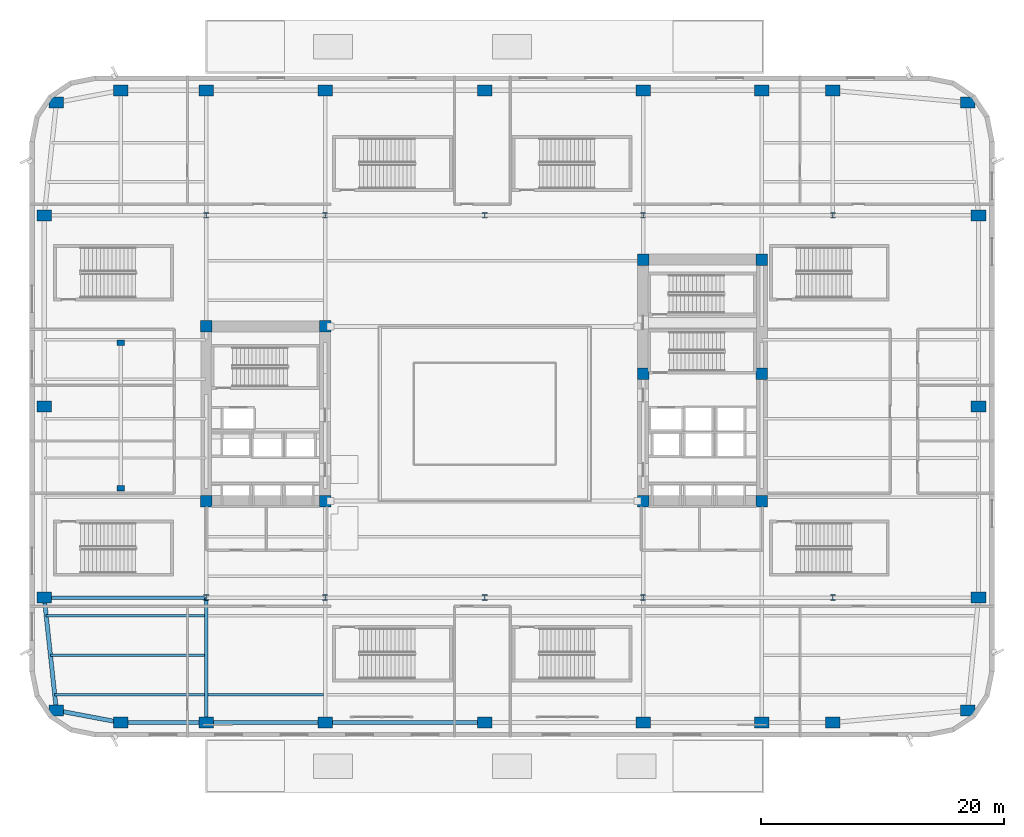
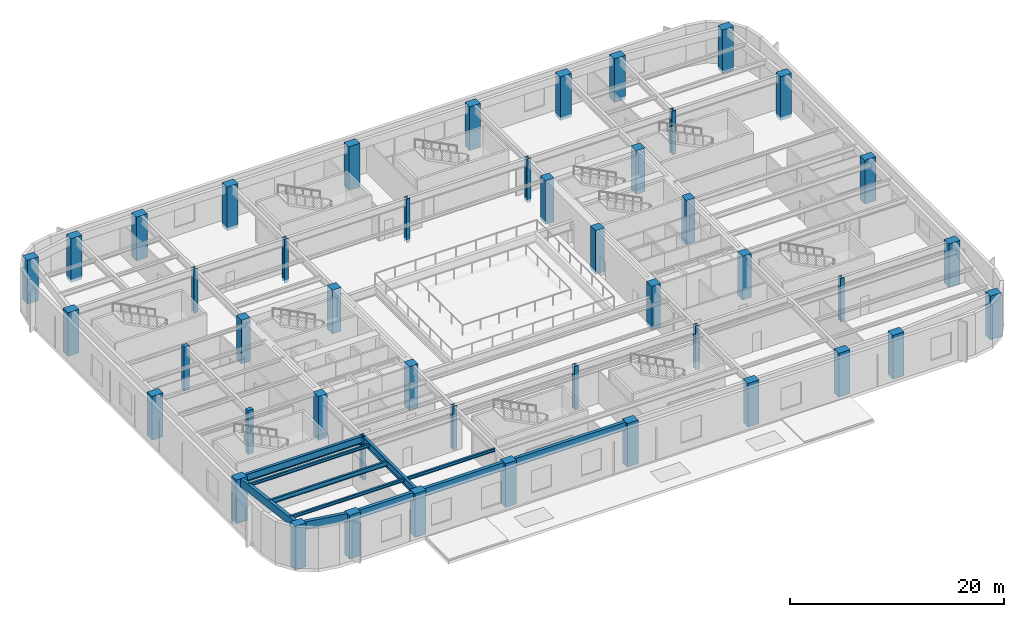
# One storey, part 1 of 24: 46 columns, 11 beams.
"""IFC4 building model written with IfcOpenShell, lengths in metres."""

from ifc_helpers import new_model, si_unit, direction, frame, origin, origin_2d, place, context, subcontext, project, spatial, rectangle, hollow_rectangle, i_section, extrude, material, material_profile, profile_set, type_object, element, save


model = new_model("IFC4")

# Units and contexts
model_context = context("Model", 3, precision=1e-05, world=origin(), true_north=direction((0.0, 1.0)))
body_context = subcontext(model_context, "Body", "Model", "MODEL_VIEW")
ifc_project = project(units=[si_unit("LENGTHUNIT", "METRE"), si_unit("AREAUNIT", "SQUARE_METRE"), si_unit("VOLUMEUNIT", "CUBIC_METRE"), si_unit("PLANEANGLEUNIT", "RADIAN"), si_unit("MASSUNIT", "GRAM", prefix="KILO")], contexts=[model_context])

# Site, building, storey
site_placement = place(None, origin())
site = spatial("IfcSite", under=ifc_project, at=site_placement, CompositionType="ELEMENT")
building_placement = place(site_placement, origin())
building = spatial("IfcBuilding", under=site, at=building_placement, Name="Kolvaren Arena Tower", CompositionType="ELEMENT")
storey_placement = place(building_placement, frame((0.0, 0.0, 8.0)))
storey = spatial("IfcBuildingStorey", under=building, at=storey_placement, Name="L01", CompositionType="ELEMENT", Elevation=8.0)

# Columns
ifc_material_1 = material(Name="Precast concrete C70/85", Category="concrete")
ifc_material_profile_1 = material_profile(ifc_material_1, rectangle(XDim=1.199951171875, YDim=0.89990234375, at=origin_2d()), Name="RC-1200x900")
ifc_profile_set_1 = profile_set([ifc_material_profile_1], Name="Precast concrete C70/85")
column_type_1 = type_object("IfcColumnType", Name="EXCOL-Z1", PredefinedType="COLUMN", material=ifc_profile_set_1)
for number, where, z_axis, x_axis, name in (
    (1, (2.199951171875, 2.199951171875, -0.35009765625), (0.0, 0.0, 1.0), (1.0, 0.0, 0.0), "Podium Perimeter Column PS-C0 (L01)"),
    (2, (7.5, 1.199951171875, -0.35009765625), (0.0, 0.0, 1.0), (1.0, 0.0, 0.0), "Podium Perimeter Column PS-01 (L01)"),
    (3, (14.550048828125, 1.199951171875, -0.35009765625), (0.0, 0.0, 1.0), (1.0, 0.0, 0.0), "Podium Perimeter Column PS-02 (L01)"),
    (4, (24.35009765625, 1.199951171875, -0.35009765625), (0.0, 0.0, 1.0), (1.0, 0.0, 0.0), "Podium Perimeter Column PS-03 (L01)"),
    (5, (37.5, 1.199951171875, -0.35009765625), (0.0, 0.0, 1.0), (1.0, 0.0, 0.0), "Podium Perimeter Column PS-04 (L01)"),
    (6, (50.550048828125, 1.199951171875, -0.35009765625), (0.0, 0.0, 1.0), (1.0, 0.0, 0.0), "Podium Perimeter Column PS-05 (L01)"),
    (7, (60.35009765625, 1.199951171875, -0.35009765625), (0.0, 0.0, 1.0), (1.0, 0.0, 0.0), "Podium Perimeter Column PS-06 (L01)"),
    (8, (66.199951171875, 1.199951171875, -0.35009765625), (0.0, 0.0, 1.0), (1.0, 0.0, 0.0), "Podium Perimeter Column PS-07 (L01)"),
    (9, (77.300048828125, 2.199951171875, -0.35009765625), (0.0, 0.0, 1.0), (1.0, 0.0, 0.0), "Podium Perimeter Column PE-C0 (L01)"),
    (10, (78.199951171875, 11.5, -0.35009765625), (0.0, 0.0, 1.0), (1.0, 0.0, 0.0), "Podium Perimeter Column PE-01 (L01)"),
    (11, (78.199951171875, 27.25, -0.35009765625), (0.0, 0.0, 1.0), (1.0, 0.0, 0.0), "Podium Perimeter Column PE-02 (L01)"),
    (12, (78.199951171875, 43.0, -0.35009765625), (0.0, 0.0, 1.0), (1.0, 0.0, 0.0), "Podium Perimeter Column PE-03 (L01)"),
    (13, (77.300048828125, 52.300048828125, -0.35009765625), (0.0, 0.0, 1.0), (1.0, 0.0, 0.0), "Podium Perimeter Column PN-C1 (L01)"),
    (14, (66.199951171875, 53.300048828125, -0.35009765625), (0.0, 0.0, 1.0), (1.0, 0.0, 0.0), "Podium Perimeter Column PN-07 (L01)"),
    (15, (60.35009765625, 53.300048828125, -0.35009765625), (0.0, 0.0, 1.0), (1.0, 0.0, 0.0), "Podium Perimeter Column PN-06 (L01)"),
    (16, (50.550048828125, 53.300048828125, -0.35009765625), (0.0, 0.0, 1.0), (1.0, 0.0, 0.0), "Podium Perimeter Column PN-05 (L01)"),
    (17, (37.5, 53.300048828125, -0.35009765625), (0.0, 0.0, 1.0), (1.0, 0.0, 0.0), "Podium Perimeter Column PN-04 (L01)"),
    (18, (24.35009765625, 53.300048828125, -0.35009765625), (0.0, 0.0, 1.0), (1.0, 0.0, 0.0), "Podium Perimeter Column PN-03 (L01)"),
    (19, (14.550048828125, 53.300048828125, -0.35009765625), (0.0, 0.0, 1.0), (1.0, 0.0, 0.0), "Podium Perimeter Column PN-02 (L01)"),
    (20, (7.5, 53.300048828125, -0.35009765625), (0.0, 0.0, 1.0), (1.0, 0.0, 0.0), "Podium Perimeter Column PN-01 (L01)"),
    (21, (2.199951171875, 52.300048828125, -0.35009765625), (0.0, 0.0, 1.0), (1.0, 0.0, 0.0), "Podium Perimeter Column PN-C0 (L01)"),
    (22, (1.199951171875, 43.0, -0.35009765625), (0.0, 0.0, 1.0), (1.0, 0.0, 0.0), "Podium Perimeter Column PW-03 (L01)"),
    (23, (1.199951171875, 27.25, -0.35009765625), (0.0, 0.0, 1.0), (1.0, 0.0, 0.0), "Podium Perimeter Column PW-02 (L01)"),
    (24, (1.199951171875, 11.5, -0.35009765625), (0.0, 0.0, 1.0), (1.0, 0.0, 0.0), "Podium Perimeter Column PW-01 (L01)"),
):
    element("IfcColumn", number, at=place(storey_placement, frame(where, z_axis=z_axis, x_axis=x_axis)), inside=storey, type_object=column_type_1, Name=name, PredefinedType="COLUMN", context=body_context, shape_type="SweptSolid", body=[
        extrude(rectangle(XDim=1.199951171875, YDim=0.89990234375, at=origin_2d()), origin(), (0.0, 0.0, 1.0), 5.0),
    ])
ifc_material_2 = material(Name="Concrete 60 MPa", Category="concrete")
ifc_material_profile_2 = material_profile(ifc_material_2, rectangle(XDim=0.949951171875, YDim=0.949951171875, at=origin_2d()), Name="RC-950x950")
ifc_profile_set_2 = profile_set([ifc_material_profile_2], Name="Concrete 60 MPa")
column_type_2 = type_object("IfcColumnType", Name="PCOL-B1", PredefinedType="COLUMN", material=ifc_profile_set_2)
for number, where, z_axis, x_axis, name in (
    (25, (14.550048828125, 19.449951171875, -0.35009765625), (0.0, 0.0, 1.0), (1.0, 0.0, 0.0), "Core Boundary Column WC-SW (L01)"),
    (26, (24.35009765625, 19.449951171875, -0.35009765625), (0.0, 0.0, 1.0), (1.0, 0.0, 0.0), "Core Boundary Column WC-SE (L01)"),
    (27, (14.550048828125, 33.85009765625, -0.35009765625), (0.0, 0.0, 1.0), (1.0, 0.0, 0.0), "Core Boundary Column WC-NW (L01)"),
    (28, (24.35009765625, 33.85009765625, -0.35009765625), (0.0, 0.0, 1.0), (1.0, 0.0, 0.0), "Core Boundary Column WC-NE (L01)"),
    (29, (50.550048828125, 19.449951171875, -0.35009765625), (0.0, 0.0, 1.0), (1.0, 0.0, 0.0), "Core Boundary Column EC-SW (L01)"),
    (30, (60.35009765625, 19.449951171875, -0.35009765625), (0.0, 0.0, 1.0), (1.0, 0.0, 0.0), "Core Boundary Column EC-SE (L01)"),
    (31, (50.550048828125, 29.949951171875, -0.35009765625), (0.0, 0.0, 1.0), (1.0, 0.0, 0.0), "Core Boundary Column EC-MW (L01)"),
    (32, (60.35009765625, 29.949951171875, -0.35009765625), (0.0, 0.0, 1.0), (1.0, 0.0, 0.0), "Core Boundary Column EC-ME (L01)"),
    (33, (50.550048828125, 39.35009765625, -0.35009765625), (0.0, 0.0, 1.0), (1.0, 0.0, 0.0), "Core Boundary Column EC-NW (L01)"),
    (34, (60.35009765625, 39.35009765625, -0.35009765625), (0.0, 0.0, 1.0), (1.0, 0.0, 0.0), "Core Boundary Column EC-NE (L01)"),
):
    element("IfcColumn", number, at=place(storey_placement, frame(where, z_axis=z_axis, x_axis=x_axis)), inside=storey, type_object=column_type_2, Name=name, PredefinedType="COLUMN", context=body_context, shape_type="SweptSolid", body=[
        extrude(rectangle(XDim=0.949951171875, YDim=0.949951171875, at=origin_2d()), origin(), (0.0, 0.0, 1.0), 5.0),
    ])
ifc_material_3 = material(Name="Precast concrete C50/60", Category="concrete")
ifc_material_profile_3 = material_profile(ifc_material_3, rectangle(XDim=0.60009765625, YDim=0.449951171875, at=origin_2d()), Name="RC-600x450")
ifc_profile_set_3 = profile_set([ifc_material_profile_3], Name="Precast concrete C50/60")
column_type_3 = type_object("IfcColumnType", Name="PIL-01", PredefinedType="PILASTER", material=ifc_profile_set_3)
for number, where, z_axis, x_axis, name in (
    (35, (7.5, 20.5, -0.35009765625), (0.0, 0.0, 1.0), (1.0, 0.0, 0.0), "Concourse Structural Pilaster 1 (L01)"),
    (36, (7.5, 32.5, -0.35009765625), (0.0, 0.0, 1.0), (1.0, 0.0, 0.0), "Concourse Structural Pilaster 2 (L01)"),
):
    element("IfcColumn", number, at=place(storey_placement, frame(where, z_axis=z_axis, x_axis=x_axis)), inside=storey, type_object=column_type_3, Name=name, PredefinedType="PILASTER", context=body_context, shape_type="SweptSolid", body=[
        extrude(rectangle(XDim=0.60009765625, YDim=0.449951171875, at=origin_2d()), origin(), (0.0, 0.0, 1.0), 5.0),
    ])
ifc_material_4 = material(Name="Steel ASTM A913 Grade 65", Category="steel")
ifc_material_profile_4 = material_profile(ifc_material_4, i_section(OverallWidth=0.424072265625, OverallDepth=0.47412109375, WebThickness=0.047607421875, FlangeThickness=0.076904296875, FilletRadius=0.02001953125, at=origin_2d()), Name="W360x634")
ifc_profile_set_4 = profile_set([ifc_material_profile_4], Name="Steel ASTM A913 Grade 65")
column_type_4 = type_object("IfcColumnType", Name="SCOL-Z1", PredefinedType="COLUMN", material=ifc_profile_set_4)
for number, where, z_axis, x_axis, name in (
    (37, (14.550048828125, 11.5, -0.35009765625), (0.0, 0.0, 1.0), (1.0, 0.0, 0.0), "Concourse Structural Column PB-S1 (L01)"),
    (38, (24.35009765625, 11.5, -0.35009765625), (0.0, 0.0, 1.0), (1.0, 0.0, 0.0), "Concourse Structural Column PB-S2 (L01)"),
    (39, (37.5, 11.5, -0.35009765625), (0.0, 0.0, 1.0), (1.0, 0.0, 0.0), "Concourse Structural Column PB-S3 (L01)"),
    (40, (50.550048828125, 11.5, -0.35009765625), (0.0, 0.0, 1.0), (1.0, 0.0, 0.0), "Concourse Structural Column PB-S4 (L01)"),
    (41, (66.199951171875, 11.5, -0.35009765625), (0.0, 0.0, 1.0), (1.0, 0.0, 0.0), "Concourse Structural Column PB-S5 (L01)"),
    (42, (14.550048828125, 43.0, -0.35009765625), (0.0, 0.0, 1.0), (1.0, 0.0, 0.0), "Concourse Structural Column PB-N1 (L01)"),
    (43, (24.35009765625, 43.0, -0.35009765625), (0.0, 0.0, 1.0), (1.0, 0.0, 0.0), "Concourse Structural Column PB-N2 (L01)"),
    (44, (37.5, 43.0, -0.35009765625), (0.0, 0.0, 1.0), (1.0, 0.0, 0.0), "Concourse Structural Column PB-N3 (L01)"),
    (45, (50.550048828125, 43.0, -0.35009765625), (0.0, 0.0, 1.0), (1.0, 0.0, 0.0), "Concourse Structural Column PB-N4 (L01)"),
    (46, (66.199951171875, 43.0, -0.35009765625), (0.0, 0.0, 1.0), (1.0, 0.0, 0.0), "Concourse Structural Column PB-N5 (L01)"),
):
    element("IfcColumn", number, at=place(storey_placement, frame(where, z_axis=z_axis, x_axis=x_axis)), inside=storey, type_object=column_type_4, Name=name, PredefinedType="COLUMN", context=body_context, shape_type="SweptSolid", body=[
        extrude(i_section(OverallWidth=0.424072265625, OverallDepth=0.47412109375, WebThickness=0.047607421875, FlangeThickness=0.076904296875, FilletRadius=0.02001953125, at=origin_2d()), origin(), (0.0, 0.0, 1.0), 5.0),
    ])

# Beams
ifc_material_5 = material(Name="Steel CSA G40.21 350W", Category="steel")
ifc_material_profile_5 = material_profile(ifc_material_5, i_section(OverallWidth=0.2119140625, OverallDepth=0.54296875, WebThickness=0.01318359375, FlangeThickness=0.0244140625, FilletRadius=0.013916015625, at=origin_2d()), Name="W530x150")
ifc_profile_set_5 = profile_set([ifc_material_profile_5], Name="Steel CSA G40.21 350W")
beam_type_1 = type_object("IfcBeamType", Name="BEAM-F1", PredefinedType="BEAM", material=ifc_profile_set_5)
beam_1_placement = place(storey_placement, frame((1.710693359375, 6.75, 4.37841796875), z_axis=(1.0, 0.0, 0.0), x_axis=(0.0, 1.0, 0.0)))
element("IfcBeam", 47, at=beam_1_placement, inside=storey, type_object=beam_type_1, Name="Composite Floor Beam (L01)", PredefinedType="BEAM", context=body_context, shape_type="SweptSolid", body=[
    extrude(i_section(OverallWidth=0.2119140625, OverallDepth=0.54296875, WebThickness=0.01318359375, FlangeThickness=0.0244140625, FilletRadius=0.013916015625, at=origin_2d()), origin(), (0.0, 0.0, 1.0), 12.693359375),
])
ifc_material_profile_6 = material_profile(ifc_material_5, i_section(OverallWidth=0.2919921875, OverallDepth=0.85498046875, WebThickness=0.02099609375, FlangeThickness=0.03564453125, FilletRadius=0.01806640625, at=origin_2d()), Name="W840x299")
ifc_profile_set_6 = profile_set([ifc_material_profile_6], Name="Steel CSA G40.21 350W")
beam_type_2 = type_object("IfcBeamType", Name="GIRD-P1", PredefinedType="BEAM", material=ifc_profile_set_6)
beam_2_placement = place(storey_placement, frame((1.199951171875, 11.5, 4.222412109375), z_axis=(1.0, 0.0, 0.0), x_axis=(0.0, 1.0, 0.0)))
element("IfcBeam", 48, at=beam_2_placement, inside=storey, type_object=beam_type_2, Name="Primary Floor Girder (L01)", PredefinedType="BEAM", context=body_context, shape_type="SweptSolid", body=[
    extrude(i_section(OverallWidth=0.2919921875, OverallDepth=0.85498046875, WebThickness=0.02099609375, FlangeThickness=0.03564453125, FilletRadius=0.01806640625, at=origin_2d()), origin(), (0.0, 0.0, 1.0), 13.35009765625),
])
beam_3_placement = place(storey_placement, frame((14.550048828125, 1.199951171875, 4.222412109375), z_axis=(0.0, 1.0, 0.0), x_axis=(-1.0, 0.0, 0.0)))
element("IfcBeam", 49, at=beam_3_placement, inside=storey, type_object=beam_type_2, Name="Primary Floor Girder (L01)", PredefinedType="BEAM", context=body_context, shape_type="SweptSolid", body=[
    extrude(i_section(OverallWidth=0.2919921875, OverallDepth=0.85498046875, WebThickness=0.02099609375, FlangeThickness=0.03564453125, FilletRadius=0.01806640625, at=origin_2d()), origin(), (0.0, 0.0, 1.0), 10.300048828125),
])
ifc_material_profile_7 = material_profile(ifc_material_5, i_section(OverallWidth=0.202880859375, OverallDepth=0.346923828125, WebThickness=0.0078125, FlangeThickness=0.013427734375, FilletRadius=0.010986328125, at=origin_2d()), Name="W360x64")
ifc_profile_set_7 = profile_set([ifc_material_profile_7], Name="Steel CSA G40.21 350W")
beam_type_3 = type_object("IfcBeamType", Name="JOIST-01", PredefinedType="JOIST", material=ifc_profile_set_7)
beam_4_placement = place(storey_placement, frame((2.060302734375, 3.5, 4.4765625), z_axis=(1.0, 0.0, 0.0), x_axis=(0.0, 1.0, 0.0)))
element("IfcBeam", 50, at=beam_4_placement, inside=storey, type_object=beam_type_3, Name="Composite Floor Joist (L01)", PredefinedType="JOIST", context=body_context, shape_type="SweptSolid", body=[
    extrude(i_section(OverallWidth=0.202880859375, OverallDepth=0.346923828125, WebThickness=0.0078125, FlangeThickness=0.013427734375, FilletRadius=0.010986328125, at=origin_2d()), origin(), (0.0, 0.0, 1.0), 12.34375),
])
beam_5_placement = place(storey_placement, frame((14.696044921875, 3.5, 4.4765625), z_axis=(1.0, 0.0, 0.0), x_axis=(0.0, 1.0, 0.0)))
element("IfcBeam", 51, at=beam_5_placement, inside=storey, type_object=beam_type_3, Name="Composite Floor Joist (L01)", PredefinedType="JOIST", context=body_context, shape_type="SweptSolid", body=[
    extrude(i_section(OverallWidth=0.202880859375, OverallDepth=0.346923828125, WebThickness=0.0078125, FlangeThickness=0.013427734375, FilletRadius=0.010986328125, at=origin_2d()), origin(), (0.0, 0.0, 1.0), 9.508056640625),
])
beam_6_placement = place(storey_placement, frame((1.361328125, 10.0, 4.4765625), z_axis=(1.0, 0.0, 0.0), x_axis=(0.0, 1.0, 0.0)))
element("IfcBeam", 52, at=beam_6_placement, inside=storey, type_object=beam_type_3, Name="Composite Floor Joist (L01)", PredefinedType="JOIST", context=body_context, shape_type="SweptSolid", body=[
    extrude(i_section(OverallWidth=0.202880859375, OverallDepth=0.346923828125, WebThickness=0.0078125, FlangeThickness=0.013427734375, FilletRadius=0.010986328125, at=origin_2d()), origin(), (0.0, 0.0, 1.0), 13.042724609375),
])
ifc_material_6 = material(Name="Steel CSA G40.21 350WT", Category="steel")
ifc_material_profile_8 = material_profile(ifc_material_6, hollow_rectangle(XDim=0.35009765625, YDim=0.89990234375, WallThickness=0.02001953125, at=origin_2d()), Name="HSS 900x350x20")
ifc_profile_set_8 = profile_set([ifc_material_profile_8], Name="Steel CSA G40.21 350WT")
beam_type_4 = type_object("IfcBeamType", Name="SPAND-01", PredefinedType="SPANDREL", material=ifc_profile_set_8)
beam_7_placement = place(storey_placement, frame((2.199951171875, 2.199951171875, 4.199951171875), z_axis=(0.982661964955, -0.185406209796, 0.0), x_axis=(0.185406209796, 0.982661964955, 0.0)))
element("IfcBeam", 53, at=beam_7_placement, inside=storey, type_object=beam_type_4, Name="Perimeter Spandrel Beam (L01)", PredefinedType="SPANDREL", context=body_context, shape_type="SweptSolid", body=[
    extrude(hollow_rectangle(XDim=0.35009765625, YDim=0.89990234375, WallThickness=0.02001953125, at=origin_2d()), origin(), (0.0, 0.0, 1.0), 5.3935546875),
])
beam_8_placement = place(storey_placement, frame((7.5, 1.199951171875, 4.199951171875), z_axis=(1.0, 0.0, 0.0), x_axis=(0.0, 1.0, 0.0)))
element("IfcBeam", 54, at=beam_8_placement, inside=storey, type_object=beam_type_4, Name="Perimeter Spandrel Beam (L01)", PredefinedType="SPANDREL", context=body_context, shape_type="SweptSolid", body=[
    extrude(hollow_rectangle(XDim=0.35009765625, YDim=0.89990234375, WallThickness=0.02001953125, at=origin_2d()), origin(), (0.0, 0.0, 1.0), 7.050048828125),
])
beam_9_placement = place(storey_placement, frame((14.550048828125, 1.199951171875, 4.199951171875), z_axis=(1.0, 0.0, 0.0), x_axis=(0.0, 1.0, 0.0)))
element("IfcBeam", 55, at=beam_9_placement, inside=storey, type_object=beam_type_4, Name="Perimeter Spandrel Beam (L01)", PredefinedType="SPANDREL", context=body_context, shape_type="SweptSolid", body=[
    extrude(hollow_rectangle(XDim=0.35009765625, YDim=0.89990234375, WallThickness=0.02001953125, at=origin_2d()), origin(), (0.0, 0.0, 1.0), 9.800048828125),
])
beam_10_placement = place(storey_placement, frame((24.35009765625, 1.199951171875, 4.199951171875), z_axis=(1.0, 0.0, 0.0), x_axis=(0.0, 1.0, 0.0)))
element("IfcBeam", 56, at=beam_10_placement, inside=storey, type_object=beam_type_4, Name="Perimeter Spandrel Beam (L01)", PredefinedType="SPANDREL", context=body_context, shape_type="SweptSolid", body=[
    extrude(hollow_rectangle(XDim=0.35009765625, YDim=0.89990234375, WallThickness=0.02001953125, at=origin_2d()), origin(), (0.0, 0.0, 1.0), 13.14990234375),
])
beam_11_placement = place(storey_placement, frame((1.199951171875, 11.5, 4.199951171875), z_axis=(0.106910051219, -0.994268696555, 0.0), x_axis=(0.994268696555, 0.106910051219, 0.0)))
element("IfcBeam", 57, at=beam_11_placement, inside=storey, type_object=beam_type_4, Name="Perimeter Spandrel Beam (L01)", PredefinedType="SPANDREL", context=body_context, shape_type="SweptSolid", body=[
    extrude(hollow_rectangle(XDim=0.35009765625, YDim=0.89990234375, WallThickness=0.02001953125, at=origin_2d()), origin(), (0.0, 0.0, 1.0), 9.353759765625),
])

save(model, "model.ifc")
